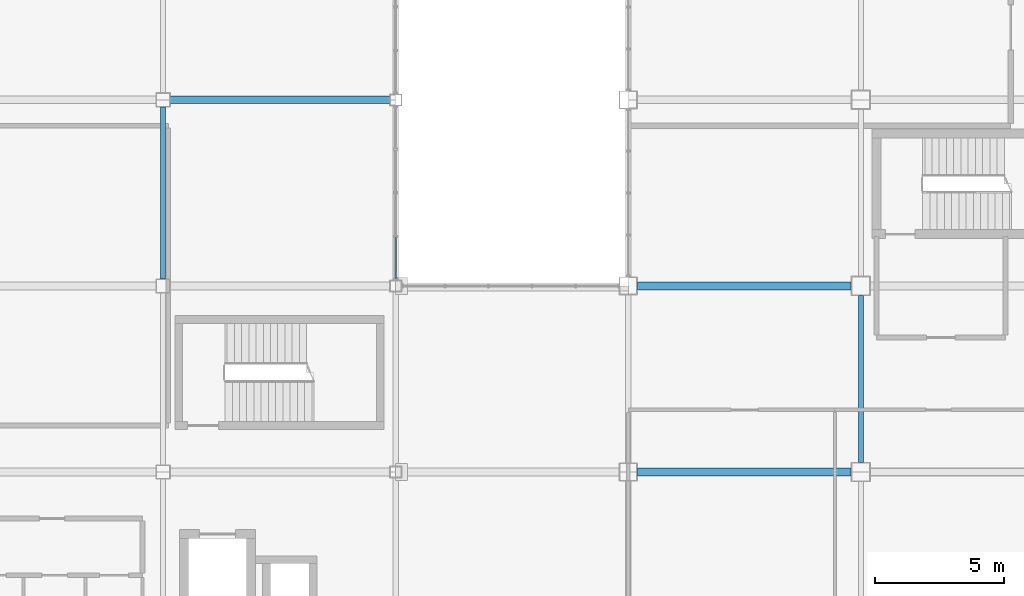
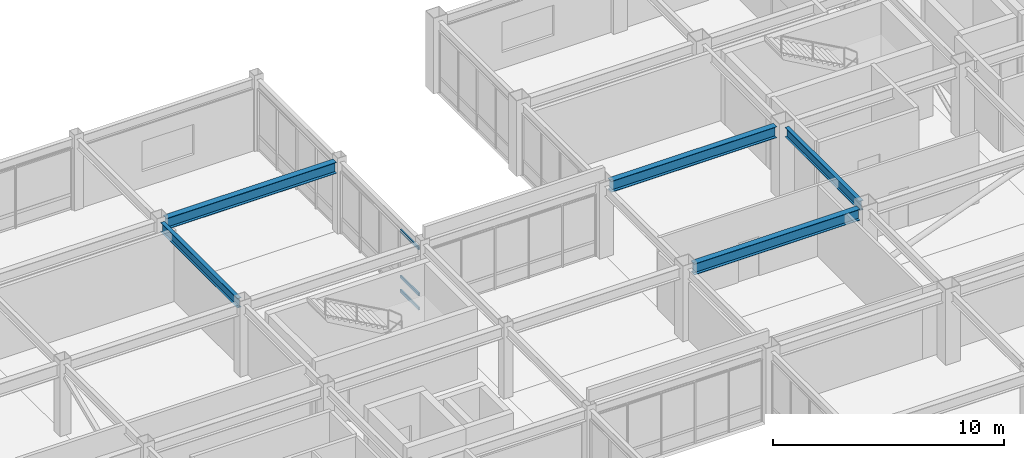
# One storey, part 82 of 122: 5 beams, 3 members, 1 element without a shape of its own.
"""IFC4 building model written with IfcOpenShell, lengths in metres."""

import ifcopenshell
import ifcopenshell.guid

model = None  # the IFC model being written
_history = None  # IfcOwnerHistory: only IFC2X3 demands one
_inside = {}  # id of a spatial element -> (the spatial element, [elements in it])
_under = {}  # id of a project, library or spatial element -> (it, [spatial elements below it])
_declared = {}  # id of a project -> (the project, [libraries it declares])
_typed = {}  # id of a type object -> (the type object, [elements of that type])
_made_of = {}  # id of a material, layer set ... -> (it, [elements and type objects made of it])


def new_model(schema):
    """Start an empty IFC model of exactly this schema.

    Asked for "IFC4X3", IfcOpenShell would pick the latest addendum, in which some entities
    have other attributes; the version numbers below select the first issue.
    IFC2X3 requires an IfcOwnerHistory on every rooted entity: one is made here for all.
    """
    global model, _history
    if schema == "IFC4X3":
        model = ifcopenshell.file(schema_version=(4, 3, 0, 0))
    else:
        model = ifcopenshell.file(schema=schema)
    _inside.clear()
    _under.clear()
    _declared.clear()
    _typed.clear()
    _made_of.clear()
    _history = None
    if model.schema == "IFC2X3":
        org = make("IfcOrganization", Name="unknown")
        user = make(
            "IfcPersonAndOrganization",
            ThePerson=make("IfcPerson", FamilyName="unknown"),
            TheOrganization=org,
        )
        app = make(
            "IfcApplication",
            ApplicationDeveloper=org,
            Version="unknown",
            ApplicationFullName="unknown",
            ApplicationIdentifier="unknown",
        )
        _history = make(
            "IfcOwnerHistory",
            OwningUser=user,
            OwningApplication=app,
            ChangeAction="ADDED",
            CreationDate=0,
        )
    return model


def make(cls, **values):
    """One entity of the class cls with the attributes given. An attribute that is None is left unset."""
    return model.create_entity(
        cls, **{name: value for name, value in values.items() if value is not None}
    )


def rooted(cls, **values):
    """An entity with a GlobalId (a new one), such as an element, a storey or a relation."""
    return make(cls, GlobalId=ifcopenshell.guid.new(), OwnerHistory=_history, **values)


def si_unit(unit_type, name, prefix=None):
    """IfcSIUnit, for example si_unit("LENGTHUNIT", "METRE", prefix="MILLI")."""
    return make("IfcSIUnit", UnitType=unit_type, Prefix=prefix, Name=name)


def assignment(units):
    """IfcUnitAssignment: the units of a project."""
    return None if units is None else make("IfcUnitAssignment", Units=units)


def point(xyz):
    """IfcCartesianPoint."""
    return None if xyz is None else make("IfcCartesianPoint", Coordinates=xyz)


def direction(xyz):
    """IfcDirection."""
    return None if xyz is None else make("IfcDirection", DirectionRatios=xyz)


def frame(location, z_axis=None, x_axis=None):
    """IfcAxis2Placement3D, a coordinate frame: its origin and axes. An axis left out is left unset."""
    return make(
        "IfcAxis2Placement3D",
        Location=point(location),
        Axis=direction(z_axis),
        RefDirection=direction(x_axis),
    )


def frame_2d(location, x_axis=None):
    """IfcAxis2Placement2D, a coordinate frame in the plane: its origin and x axis."""
    return make(
        "IfcAxis2Placement2D", Location=point(location), RefDirection=direction(x_axis)
    )


def origin():
    """The frame at (0, 0, 0) with its axes left unset."""
    return frame((0.0, 0.0, 0.0))


def origin_2d():
    """The frame at (0, 0) in the plane with its x axis left unset."""
    return frame_2d((0.0, 0.0))


def place(relative_to, where):
    """IfcLocalPlacement: puts the frame where relative to a parent placement (None: the world)."""
    return make(
        "IfcLocalPlacement", PlacementRelTo=relative_to, RelativePlacement=where
    )


def context(
    kind, dimensions, precision=None, world=None, true_north=None, identifier=None
):
    """IfcGeometricRepresentationContext, for example the 3D "Model" context."""
    return make(
        "IfcGeometricRepresentationContext",
        ContextIdentifier=identifier,
        ContextType=kind,
        CoordinateSpaceDimension=dimensions,
        Precision=precision,
        WorldCoordinateSystem=world,
        TrueNorth=true_north,
    )


def subcontext(parent, identifier, kind, view, scale=None):
    """IfcGeometricRepresentationSubContext, for example "Body" below "Model"."""
    return make(
        "IfcGeometricRepresentationSubContext",
        ContextIdentifier=identifier,
        ContextType=kind,
        ParentContext=parent,
        TargetScale=scale,
        TargetView=view,
    )


def project(units=None, contexts=None):
    """IfcProject with its units and contexts."""
    return rooted(
        "IfcProject",
        Name="project",
        RepresentationContexts=contexts,
        UnitsInContext=assignment(units),
    )


def spatial(cls, under=None, at=None, **own):
    """A site, building, storey or space (cls), placed at a placement, below another one or the project."""
    s = rooted(cls, ObjectPlacement=at, **own)
    if under is not None:
        _under.setdefault(under.id(), (under, []))[1].append(s)
    return s


def profile(cls, at=None, kind="AREA", **sizes):
    """A parametric profile (cls). Its sizes go by their IFC names, for example OverallWidth=200.0."""
    return make(cls, ProfileType=kind, Position=at, **sizes)


def hollow_rectangle(**sizes):
    """IfcRectangleHollowProfileDef."""
    return profile("IfcRectangleHollowProfileDef", **sizes)


def i_section(**sizes):
    """IfcIShapeProfileDef."""
    return profile("IfcIShapeProfileDef", **sizes)


def extrude(swept, where, along, depth):
    """IfcExtrudedAreaSolid: the profile swept, set in the frame where, extruded along a direction by depth."""
    return make(
        "IfcExtrudedAreaSolid",
        SweptArea=swept,
        Position=where,
        ExtrudedDirection=direction(along),
        Depth=depth,
    )


def shape(context_of_items, identifier, shape_type, items):
    """IfcShapeRepresentation: the items that make up one representation, for example the "Body"."""
    return make(
        "IfcShapeRepresentation",
        ContextOfItems=context_of_items,
        RepresentationIdentifier=identifier,
        RepresentationType=shape_type,
        Items=items,
    )


def material(Name=None, Category=None):
    """IfcMaterial."""
    return make("IfcMaterial", Name=Name, Category=Category)


def material_profile(
    of_material, cross_section, Name=None, Category=None, Priority=None
):
    """IfcMaterialProfile: a cross section and its material."""
    return make(
        "IfcMaterialProfile",
        Name=Name,
        Material=of_material,
        Profile=cross_section,
        Priority=Priority,
        Category=Category,
    )


def profile_set(profiles, Name=None, composite=None):
    """IfcMaterialProfileSet."""
    return make(
        "IfcMaterialProfileSet",
        Name=Name,
        MaterialProfiles=profiles,
        CompositeProfile=composite,
    )


def made_of(thing, what):
    """Note that an element or type object is made of a material, layer set ...; save() writes the relation."""
    if what is not None:
        _made_of.setdefault(what.id(), (what, []))[1].append(thing)
    return thing


def type_object(cls, material=None, **own):
    """A type object (cls), such as IfcWallType, which elements share."""
    return made_of(rooted(cls, **own), material)


def element(
    cls,
    number,
    at=None,
    inside=None,
    cuts=None,
    type_object=None,
    material=None,
    context=None,
    identifier="Body",
    shape_type=None,
    held_by="IfcProductDefinitionShape",
    body=None,
    shapes=None,
    **own,
):
    """One element of the class cls, such as IfcWall. Its Tag is "e" and its number.

    at: its placement. inside: the storey or other place that contains it. cuts: it is an
    opening in that element (IfcRelVoidsElement). A single representation is given by context,
    identifier, shape_type and body (its items); several are given by shapes. held_by: the class
    of the entity that holds the representations. save() writes the other relations.
    """
    e = rooted(cls, Tag="e%d" % number, ObjectPlacement=at, **own)
    if body is not None:
        shapes = [shape(context, identifier, shape_type, body)]
    if shapes is not None:
        e.Representation = make(held_by, Representations=shapes)
    if inside is not None:
        _inside.setdefault(inside.id(), (inside, []))[1].append(e)
    if cuts is not None:
        rooted(
            "IfcRelVoidsElement", RelatingBuildingElement=cuts, RelatedOpeningElement=e
        )
    if type_object is not None:
        _typed.setdefault(type_object.id(), (type_object, []))[1].append(e)
    return made_of(e, material)


def aggregate(whole, parts):
    """IfcRelAggregates: a whole, such as a stair, and the parts it consists of."""
    return rooted("IfcRelAggregates", RelatingObject=whole, RelatedObjects=parts)


def save(model, path):
    """Write the relations noted so far, then the file.

    IfcRelAggregates (storeys below a building ...), IfcRelContainedInSpatialStructure (elements
    in a storey), IfcRelDefinesByType, IfcRelAssociatesMaterial and IfcRelDeclares: one each for
    every whole, place, type object, material and project.
    """
    for whole, parts in _under.values():
        aggregate(whole, parts)
    for where, things in _inside.values():
        rooted(
            "IfcRelContainedInSpatialStructure",
            RelatedElements=things,
            RelatingStructure=where,
        )
    for kind, things in _typed.values():
        rooted("IfcRelDefinesByType", RelatedObjects=things, RelatingType=kind)
    for what, things in _made_of.values():
        rooted("IfcRelAssociatesMaterial", RelatedObjects=things, RelatingMaterial=what)
    for by, libraries in _declared.values():
        rooted("IfcRelDeclares", RelatingContext=by, RelatedDefinitions=libraries)
    model.write(path)


model = new_model("IFC4")

# Units and contexts
model_context = context("Model", 3, precision=1e-05, world=origin(), true_north=direction((0.0, 1.0)))
body_context = subcontext(model_context, "Body", "Model", "MODEL_VIEW")
ifc_project = project(units=[si_unit("LENGTHUNIT", "METRE"), si_unit("AREAUNIT", "SQUARE_METRE"), si_unit("VOLUMEUNIT", "CUBIC_METRE"), si_unit("PLANEANGLEUNIT", "RADIAN"), si_unit("MASSUNIT", "GRAM", prefix="KILO")], contexts=[model_context])

# Site, building, storey
site_placement = place(None, origin())
site = spatial("IfcSite", under=ifc_project, at=site_placement, CompositionType="ELEMENT")
building_placement = place(site_placement, origin())
building = spatial("IfcBuilding", under=site, at=building_placement, Name="Kazanami Central Library", CompositionType="ELEMENT")
storey_placement = place(building_placement, frame((0.0, 0.0, 4.800048828125)))
storey = spatial("IfcBuildingStorey", under=building, at=storey_placement, Name="L02", CompositionType="ELEMENT", Elevation=4.800048828125)

# Beams
ifc_material_1 = material(Name="Steel SN490B (325 MPa)", Category="steel")
ifc_material_profile_1 = material_profile(ifc_material_1, i_section(OverallWidth=0.300048828125, OverallDepth=0.587890625, WebThickness=0.011962890625, FlangeThickness=0.02001953125, at=origin_2d()), Name="H-588x300x12x20")
ifc_profile_set_1 = profile_set([ifc_material_profile_1], Name="Steel SN490B (325 MPa)")
beam_type_1 = type_object("IfcBeamType", Name="BM-G-X2", PredefinedType="BEAM", material=ifc_profile_set_1)
for number, where, z_axis, x_axis, name in (
    (1, (117.347900390625, 72.0, 3.4609375), (1.0, 0.0, 0.0), (0.0, 1.0, 0.0), "Girder G-X2 L02 L/14-15"),
    (2, (117.347900390625, 79.199951171875, 3.4609375), (1.0, 0.0, 0.0), (0.0, 1.0, 0.0), "Girder G-X2 L02 M/14-15"),
):
    element("IfcBeam", number, at=place(storey_placement, frame(where, z_axis=z_axis, x_axis=x_axis)), inside=storey, type_object=beam_type_1, Name=name, PredefinedType="BEAM", context=body_context, shape_type="SweptSolid", body=[
        extrude(i_section(OverallWidth=0.300048828125, OverallDepth=0.587890625, WebThickness=0.011962890625, FlangeThickness=0.02001953125, at=origin_2d()), origin(), (0.0, 0.0, 1.0), 8.279052734375),
    ])
beam_1_placement = place(storey_placement, frame((99.27294921875, 86.39990234375, 3.4609375), z_axis=(1.0, 0.0, 0.0), x_axis=(0.0, 1.0, 0.0)))
element("IfcBeam", 3, at=beam_1_placement, inside=storey, type_object=beam_type_1, Name="Girder G-X2 L02 N/12-13", PredefinedType="BEAM", context=body_context, shape_type="SweptSolid", body=[
    extrude(i_section(OverallWidth=0.300048828125, OverallDepth=0.587890625, WebThickness=0.011962890625, FlangeThickness=0.02001953125, at=origin_2d()), origin(), (0.0, 0.0, 1.0), 8.504150390625),
])
ifc_material_profile_2 = material_profile(ifc_material_1, i_section(OverallWidth=0.199951171875, OverallDepth=0.5, WebThickness=0.010009765625, FlangeThickness=0.01611328125, at=origin_2d()), Name="H-500x200x10x16")
ifc_profile_set_2 = profile_set([ifc_material_profile_2], Name="Steel SN490B (325 MPa)")
beam_type_2 = type_object("IfcBeamType", Name="BM-G-Y2", PredefinedType="BEAM", material=ifc_profile_set_2)
beam_2_placement = place(storey_placement, frame((99.0, 79.472900390625, 3.5048828125), z_axis=(0.0, 1.0, 0.0), x_axis=(-1.0, 0.0, 0.0)))
element("IfcBeam", 4, at=beam_2_placement, inside=storey, type_object=beam_type_2, Name="Girder G-Y2 L02 12/M-N", PredefinedType="BEAM", context=body_context, shape_type="SweptSolid", body=[
    extrude(i_section(OverallWidth=0.199951171875, OverallDepth=0.5, WebThickness=0.010009765625, FlangeThickness=0.01611328125, at=origin_2d()), origin(), (0.0, 0.0, 1.0), 6.654052734375),
])
beam_3_placement = place(storey_placement, frame((126.0, 72.373046875, 3.5048828125), z_axis=(0.0, 1.0, 0.0), x_axis=(-1.0, 0.0, 0.0)))
element("IfcBeam", 5, at=beam_3_placement, inside=storey, type_object=beam_type_2, Name="Girder G-Y2 L02 15/L-M", PredefinedType="BEAM", context=body_context, shape_type="SweptSolid", body=[
    extrude(i_section(OverallWidth=0.199951171875, OverallDepth=0.5, WebThickness=0.010009765625, FlangeThickness=0.01611328125, at=origin_2d()), origin(), (0.0, 0.0, 1.0), 6.453857421875),
])

# Curtain wall, members
ifc_material_2 = material(Name="Acid-Etched Low-E Laminated Glass", Category="glass")
curtain_wall_type = type_object("IfcCurtainWallType", Name="CW-6750x3255-M180", PredefinedType="USERDEFINED", material=ifc_material_2)
curtain_wall_placement = place(storey_placement, origin())
curtain_wall = element("IfcCurtainWall", 6, at=curtain_wall_placement, inside=storey, type_object=curtain_wall_type, Name="Covered Link Bridge Curtain Wall CW-21 L02 E-13-11", ObjectType="UNITISED CURTAIN WALL", PredefinedType="USERDEFINED")
ifc_material_3 = material(Name="Anodised Aluminium A6063-T5", Category="aluminium")
ifc_material_profile_3 = material_profile(ifc_material_3, hollow_rectangle(XDim=0.070068359375, YDim=0.159912109375, WallThickness=0.00390625, at=origin_2d()), Name="ALU-TRAN-70x160x4")
ifc_profile_set_3 = profile_set([ifc_material_profile_3], Name="Anodised Aluminium A6063-T5")
member_type = type_object("IfcMemberType", Name="MEM-CW-T1", PredefinedType="USERDEFINED", material=ifc_profile_set_3)
member_1_placement = place(storey_placement, frame((108.0, 81.077392578125, 0.034912109375), z_axis=(0.0, -1.0, 0.0), x_axis=(1.0, 0.0, 0.0)))
member_1 = element("IfcMember", 7, at=member_1_placement, type_object=member_type, Name="CW-21 transom 4.1", ObjectType="TRANSOM", PredefinedType="USERDEFINED", context=body_context, shape_type="SweptSolid", body=[
    extrude(hollow_rectangle(XDim=0.070068359375, YDim=0.159912109375, WallThickness=0.00390625, at=origin_2d()), origin(), (0.0, 0.0, 1.0), 1.582275390625),
])
member_2_placement = place(storey_placement, frame((108.0, 81.077392578125, 0.780029296875), z_axis=(0.0, -1.0, 0.0), x_axis=(1.0, 0.0, 0.0)))
member_2 = element("IfcMember", 8, at=member_2_placement, type_object=member_type, Name="CW-21 transom 4.2", ObjectType="TRANSOM", PredefinedType="USERDEFINED", context=body_context, shape_type="SweptSolid", body=[
    extrude(hollow_rectangle(XDim=0.070068359375, YDim=0.159912109375, WallThickness=0.00390625, at=origin_2d()), origin(), (0.0, 0.0, 1.0), 1.582275390625),
])
member_3_placement = place(storey_placement, frame((108.0, 81.077392578125, 3.219970703125), z_axis=(0.0, -1.0, 0.0), x_axis=(1.0, 0.0, 0.0)))
member_3 = element("IfcMember", 9, at=member_3_placement, type_object=member_type, Name="CW-21 transom 4.3", ObjectType="TRANSOM", PredefinedType="USERDEFINED", context=body_context, shape_type="SweptSolid", body=[
    extrude(hollow_rectangle(XDim=0.070068359375, YDim=0.159912109375, WallThickness=0.00390625, at=origin_2d()), origin(), (0.0, 0.0, 1.0), 1.582275390625),
])
aggregate(curtain_wall, [member_1, member_2, member_3])

save(model, "model.ifc")
